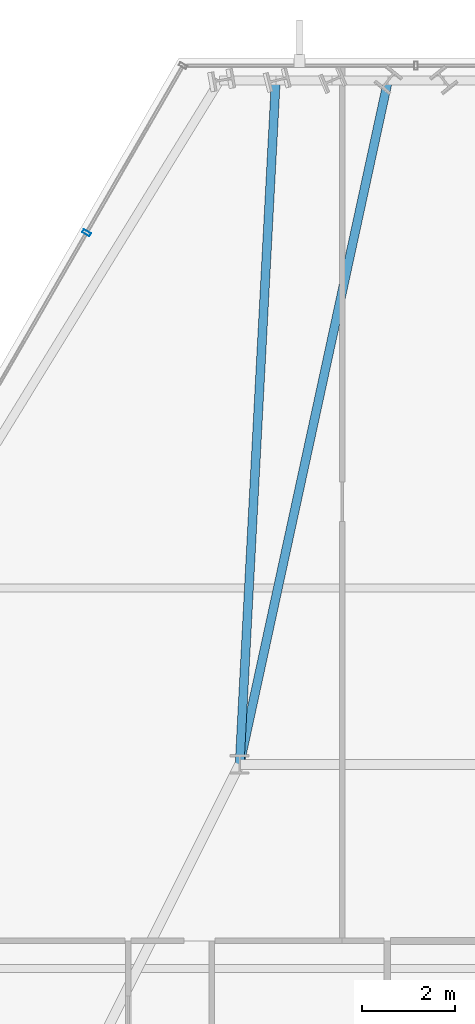
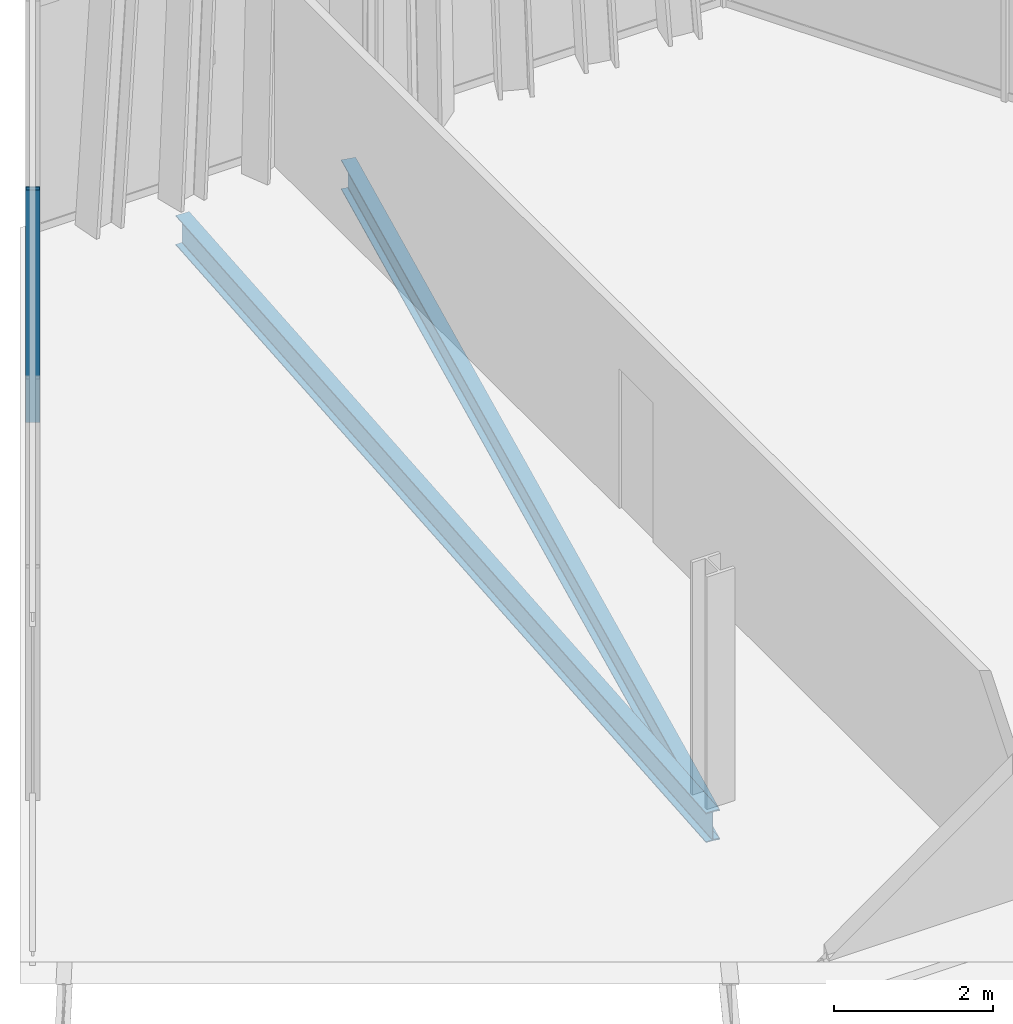
# One storey, part 23 of 35: 2 beams, 1 member, 1 element without a shape of its own.
"""IFC4 building model written with IfcOpenShell, lengths in metres."""

from ifc_helpers import new_model, si_unit, direction, frame, origin, origin_2d, place, context, subcontext, project, spatial, hollow_rectangle, i_section, extrude, material, layer, layer_set, material_profile, profile_set, type_object, element, aggregate, save


model = new_model("IFC4")

# Units and contexts
model_context = context("Model", 3, precision=1e-05, world=origin(), true_north=direction((0.0, 1.0)))
body_context = subcontext(model_context, "Body", "Model", "MODEL_VIEW")
ifc_project = project(units=[si_unit("LENGTHUNIT", "METRE"), si_unit("AREAUNIT", "SQUARE_METRE"), si_unit("VOLUMEUNIT", "CUBIC_METRE"), si_unit("PLANEANGLEUNIT", "RADIAN"), si_unit("MASSUNIT", "GRAM", prefix="KILO")], contexts=[model_context])

# Site, building, storey
site_placement = place(None, origin())
site = spatial("IfcSite", under=ifc_project, at=site_placement, CompositionType="ELEMENT")
building_placement = place(site_placement, origin())
building = spatial("IfcBuilding", under=site, at=building_placement, Name="Ndaravel Arena Tower", CompositionType="ELEMENT")
storey_placement = place(building_placement, frame((0.0, 0.0, 180.199951171875)))
storey = spatial("IfcBuildingStorey", under=building, at=storey_placement, Name="L43", CompositionType="ELEMENT", Elevation=180.199951171875)

# Beams
ifc_material_1 = material(Name="Steel S355", Category="steel")
ifc_material_profile_1 = material_profile(ifc_material_1, i_section(OverallWidth=0.19140625, OverallDepth=0.4599609375, WebThickness=0.010009765625, FlangeThickness=0.01611328125, FilletRadius=0.01025390625, at=origin_2d()), Name="UB 457x191x82")
ifc_profile_set_1 = profile_set([ifc_material_profile_1], Name="Steel S355")
beam_type = type_object("IfcBeamType", Name="BM-GIRD-UB457", PredefinedType="BEAM", material=ifc_profile_set_1)
beam_1_placement = place(storey_placement, frame((41.395751953125, 45.92822265625, -0.449951171875), z_axis=(-0.212049645047, -0.977258895092, 0.0), x_axis=(0.977258895092, -0.212049645047, 0.0)))
element("IfcBeam", 1, at=beam_1_placement, inside=storey, type_object=beam_type, Name="L43 Radial Floor Girder FG-15", PredefinedType="BEAM", context=body_context, shape_type="SweptSolid", body=[
    extrude(i_section(OverallWidth=0.19140625, OverallDepth=0.4599609375, WebThickness=0.010009765625, FlangeThickness=0.01611328125, FilletRadius=0.01025390625, at=origin_2d()), origin(), (0.0, 0.0, 1.0), 15.071044921875),
])
beam_2_placement = place(storey_placement, frame((38.978759765625, 45.92822265625, -0.449951171875), z_axis=(-0.052804705985, -0.998604858303, 0.0), x_axis=(0.998604858303, -0.052804705985, 0.0)))
element("IfcBeam", 2, at=beam_2_placement, inside=storey, type_object=beam_type, Name="L43 Radial Floor Girder FG-17", PredefinedType="BEAM", context=body_context, shape_type="SweptSolid", body=[
    extrude(i_section(OverallWidth=0.19140625, OverallDepth=0.4599609375, WebThickness=0.010009765625, FlangeThickness=0.01611328125, FilletRadius=0.01025390625, at=origin_2d()), origin(), (0.0, 0.0, 1.0), 14.748779296875),
])

# Curtain wall, member
ifc_material_2 = material(Name="Aluminium", Category="aluminium")
ifc_layer = layer(ifc_material_2, 0.179931640625)
ifc_layer_set = layer_set([ifc_layer], Name="Aluminium")
curtain_wall_type = type_object("IfcCurtainWallType", Name="CW-SYS-03", PredefinedType="NOTDEFINED", material=ifc_layer_set)
curtain_wall_placement = place(storey_placement, origin())
curtain_wall = element("IfcCurtainWall", 3, at=curtain_wall_placement, inside=storey, type_object=curtain_wall_type, Name="L43 Faceted Crystal Curtain Wall CW-L43-E05", PredefinedType="NOTDEFINED")
ifc_material_3 = material(Name="Aluminium", Category="aluminium")
ifc_material_profile_2 = material_profile(ifc_material_3, hollow_rectangle(XDim=0.074951171875, YDim=0.179931640625, WallThickness=0.00390625, at=origin_2d()), Name="CW MULLION 75x180x4")
ifc_profile_set_2 = profile_set([ifc_material_profile_2], Name="Aluminium")
member_type = type_object("IfcMemberType", Name="MEM-CW-MUL180", PredefinedType="MULLION", material=ifc_profile_set_2)
member_placement = place(storey_placement, frame((34.903076171875, 42.648681640625, 0.0), z_axis=(0.0, 0.0, 1.0), x_axis=(-0.5, -0.866025403784, 0.0)))
member = element("IfcMember", 4, at=member_placement, type_object=member_type, Name="CW-L43-E05 Mullion 01", PredefinedType="MULLION", context=body_context, shape_type="SweptSolid", body=[
    extrude(hollow_rectangle(XDim=0.074951171875, YDim=0.179931640625, WallThickness=0.00390625, at=origin_2d()), origin(), (0.0, 0.0, 1.0), 3.580078125),
])
aggregate(curtain_wall, [member])

save(model, "model.ifc")
